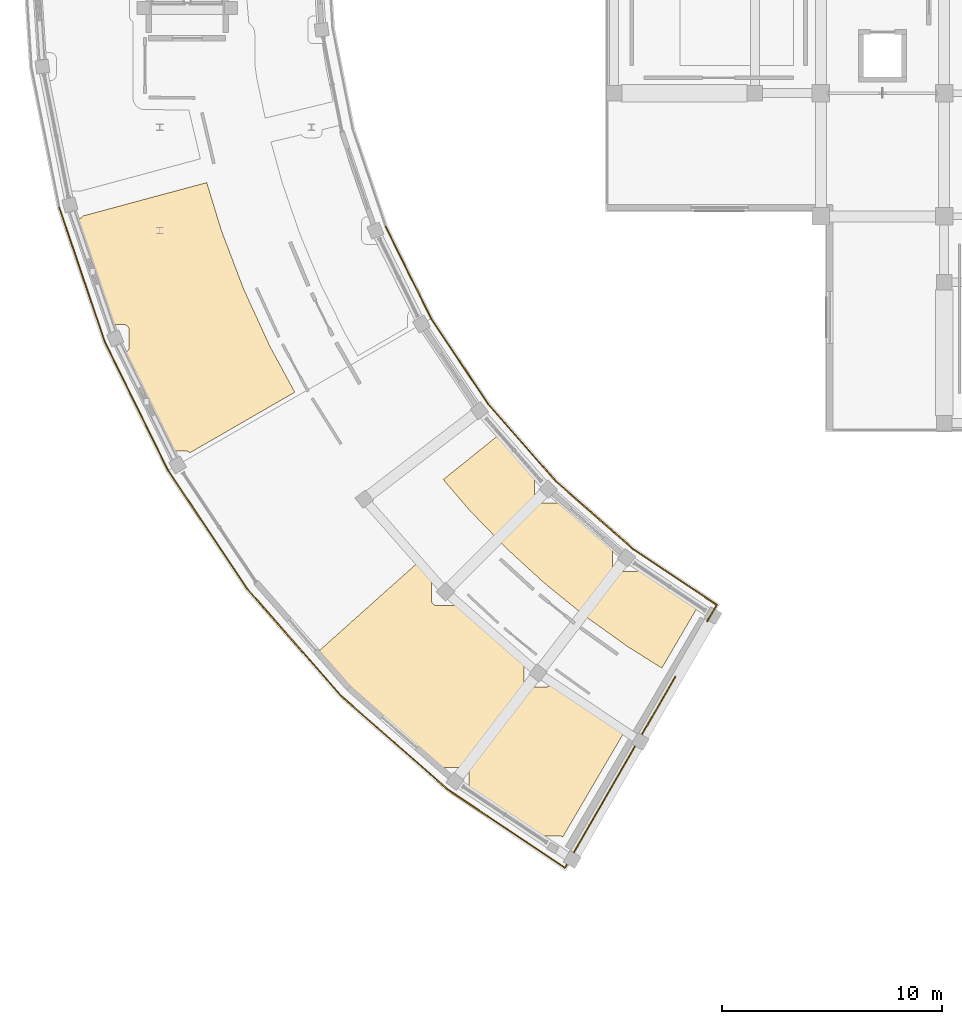
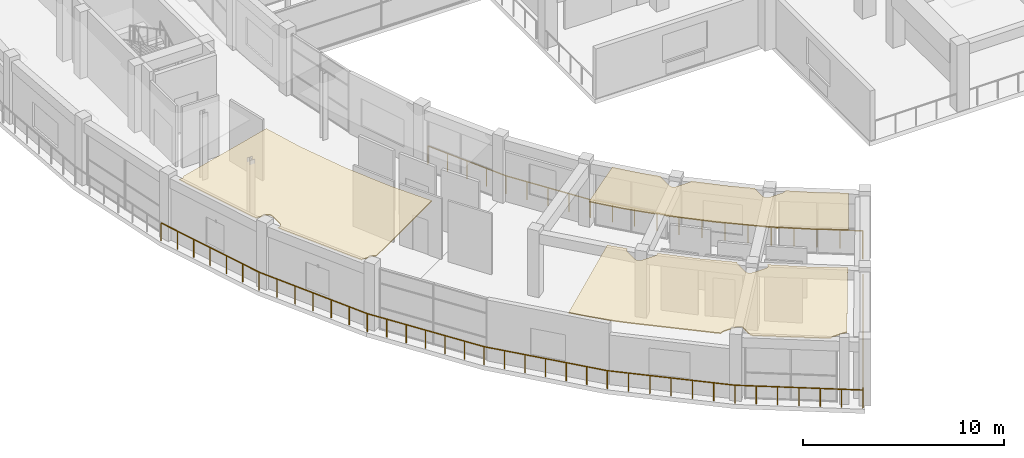
# One storey, part 57 of 70: 13 railings, 3 coverings.
"""IFC4 building model written with IfcOpenShell, lengths in metres."""

import ifcopenshell
import ifcopenshell.guid

model = None  # the IFC model being written
_history = None  # IfcOwnerHistory: only IFC2X3 demands one
_inside = {}  # id of a spatial element -> (the spatial element, [elements in it])
_under = {}  # id of a project, library or spatial element -> (it, [spatial elements below it])
_declared = {}  # id of a project -> (the project, [libraries it declares])
_typed = {}  # id of a type object -> (the type object, [elements of that type])
_made_of = {}  # id of a material, layer set ... -> (it, [elements and type objects made of it])


def new_model(schema):
    """Start an empty IFC model of exactly this schema.

    Asked for "IFC4X3", IfcOpenShell would pick the latest addendum, in which some entities
    have other attributes; the version numbers below select the first issue.
    IFC2X3 requires an IfcOwnerHistory on every rooted entity: one is made here for all.
    """
    global model, _history
    if schema == "IFC4X3":
        model = ifcopenshell.file(schema_version=(4, 3, 0, 0))
    else:
        model = ifcopenshell.file(schema=schema)
    _inside.clear()
    _under.clear()
    _declared.clear()
    _typed.clear()
    _made_of.clear()
    _history = None
    if model.schema == "IFC2X3":
        org = make("IfcOrganization", Name="unknown")
        user = make(
            "IfcPersonAndOrganization",
            ThePerson=make("IfcPerson", FamilyName="unknown"),
            TheOrganization=org,
        )
        app = make(
            "IfcApplication",
            ApplicationDeveloper=org,
            Version="unknown",
            ApplicationFullName="unknown",
            ApplicationIdentifier="unknown",
        )
        _history = make(
            "IfcOwnerHistory",
            OwningUser=user,
            OwningApplication=app,
            ChangeAction="ADDED",
            CreationDate=0,
        )
    return model


def make(cls, **values):
    """One entity of the class cls with the attributes given. An attribute that is None is left unset."""
    return model.create_entity(
        cls, **{name: value for name, value in values.items() if value is not None}
    )


def rooted(cls, **values):
    """An entity with a GlobalId (a new one), such as an element, a storey or a relation."""
    return make(cls, GlobalId=ifcopenshell.guid.new(), OwnerHistory=_history, **values)


def si_unit(unit_type, name, prefix=None):
    """IfcSIUnit, for example si_unit("LENGTHUNIT", "METRE", prefix="MILLI")."""
    return make("IfcSIUnit", UnitType=unit_type, Prefix=prefix, Name=name)


def assignment(units):
    """IfcUnitAssignment: the units of a project."""
    return None if units is None else make("IfcUnitAssignment", Units=units)


def point(xyz):
    """IfcCartesianPoint."""
    return None if xyz is None else make("IfcCartesianPoint", Coordinates=xyz)


def direction(xyz):
    """IfcDirection."""
    return None if xyz is None else make("IfcDirection", DirectionRatios=xyz)


def frame(location, z_axis=None, x_axis=None):
    """IfcAxis2Placement3D, a coordinate frame: its origin and axes. An axis left out is left unset."""
    return make(
        "IfcAxis2Placement3D",
        Location=point(location),
        Axis=direction(z_axis),
        RefDirection=direction(x_axis),
    )


def frame_2d(location, x_axis=None):
    """IfcAxis2Placement2D, a coordinate frame in the plane: its origin and x axis."""
    return make(
        "IfcAxis2Placement2D", Location=point(location), RefDirection=direction(x_axis)
    )


def origin():
    """The frame at (0, 0, 0) with its axes left unset."""
    return frame((0.0, 0.0, 0.0))


def origin_2d():
    """The frame at (0, 0) in the plane with its x axis left unset."""
    return frame_2d((0.0, 0.0))


def place(relative_to, where):
    """IfcLocalPlacement: puts the frame where relative to a parent placement (None: the world)."""
    return make(
        "IfcLocalPlacement", PlacementRelTo=relative_to, RelativePlacement=where
    )


def context(
    kind, dimensions, precision=None, world=None, true_north=None, identifier=None
):
    """IfcGeometricRepresentationContext, for example the 3D "Model" context."""
    return make(
        "IfcGeometricRepresentationContext",
        ContextIdentifier=identifier,
        ContextType=kind,
        CoordinateSpaceDimension=dimensions,
        Precision=precision,
        WorldCoordinateSystem=world,
        TrueNorth=true_north,
    )


def subcontext(parent, identifier, kind, view, scale=None):
    """IfcGeometricRepresentationSubContext, for example "Body" below "Model"."""
    return make(
        "IfcGeometricRepresentationSubContext",
        ContextIdentifier=identifier,
        ContextType=kind,
        ParentContext=parent,
        TargetScale=scale,
        TargetView=view,
    )


def project(units=None, contexts=None):
    """IfcProject with its units and contexts."""
    return rooted(
        "IfcProject",
        Name="project",
        RepresentationContexts=contexts,
        UnitsInContext=assignment(units),
    )


def spatial(cls, under=None, at=None, **own):
    """A site, building, storey or space (cls), placed at a placement, below another one or the project."""
    s = rooted(cls, ObjectPlacement=at, **own)
    if under is not None:
        _under.setdefault(under.id(), (under, []))[1].append(s)
    return s


def polyline(points):
    """IfcPolyline through the points."""
    return make("IfcPolyline", Points=[point(p) for p in points])


def profile(cls, at=None, kind="AREA", **sizes):
    """A parametric profile (cls). Its sizes go by their IFC names, for example OverallWidth=200.0."""
    return make(cls, ProfileType=kind, Position=at, **sizes)


def rectangle(**sizes):
    """IfcRectangleProfileDef."""
    return profile("IfcRectangleProfileDef", **sizes)


def outline(outer, holes=None, kind="AREA"):
    """IfcArbitraryClosedProfileDef: a profile drawn as a closed curve; with holes, ...WithVoids."""
    if holes is None:
        return make("IfcArbitraryClosedProfileDef", ProfileType=kind, OuterCurve=outer)
    return make(
        "IfcArbitraryProfileDefWithVoids",
        ProfileType=kind,
        OuterCurve=outer,
        InnerCurves=holes,
    )


def extrude(swept, where, along, depth):
    """IfcExtrudedAreaSolid: the profile swept, set in the frame where, extruded along a direction by depth."""
    return make(
        "IfcExtrudedAreaSolid",
        SweptArea=swept,
        Position=where,
        ExtrudedDirection=direction(along),
        Depth=depth,
    )


def shape(context_of_items, identifier, shape_type, items):
    """IfcShapeRepresentation: the items that make up one representation, for example the "Body"."""
    return make(
        "IfcShapeRepresentation",
        ContextOfItems=context_of_items,
        RepresentationIdentifier=identifier,
        RepresentationType=shape_type,
        Items=items,
    )


def material(Name=None, Category=None):
    """IfcMaterial."""
    return make("IfcMaterial", Name=Name, Category=Category)


def layer(
    of_material, thickness, ventilated=None, Name=None, Category=None, Priority=None
):
    """IfcMaterialLayer: one layer of a wall or slab, of a material (None: an air gap)."""
    return make(
        "IfcMaterialLayer",
        Material=of_material,
        LayerThickness=thickness,
        IsVentilated=ventilated,
        Name=Name,
        Category=Category,
        Priority=Priority,
    )


def layer_set(layers, Name=None):
    """IfcMaterialLayerSet."""
    return make("IfcMaterialLayerSet", MaterialLayers=layers, LayerSetName=Name)


def made_of(thing, what):
    """Note that an element or type object is made of a material, layer set ...; save() writes the relation."""
    if what is not None:
        _made_of.setdefault(what.id(), (what, []))[1].append(thing)
    return thing


def type_object(cls, material=None, **own):
    """A type object (cls), such as IfcWallType, which elements share."""
    return made_of(rooted(cls, **own), material)


def element(
    cls,
    number,
    at=None,
    inside=None,
    cuts=None,
    type_object=None,
    material=None,
    context=None,
    identifier="Body",
    shape_type=None,
    held_by="IfcProductDefinitionShape",
    body=None,
    shapes=None,
    **own,
):
    """One element of the class cls, such as IfcWall. Its Tag is "e" and its number.

    at: its placement. inside: the storey or other place that contains it. cuts: it is an
    opening in that element (IfcRelVoidsElement). A single representation is given by context,
    identifier, shape_type and body (its items); several are given by shapes. held_by: the class
    of the entity that holds the representations. save() writes the other relations.
    """
    e = rooted(cls, Tag="e%d" % number, ObjectPlacement=at, **own)
    if body is not None:
        shapes = [shape(context, identifier, shape_type, body)]
    if shapes is not None:
        e.Representation = make(held_by, Representations=shapes)
    if inside is not None:
        _inside.setdefault(inside.id(), (inside, []))[1].append(e)
    if cuts is not None:
        rooted(
            "IfcRelVoidsElement", RelatingBuildingElement=cuts, RelatedOpeningElement=e
        )
    if type_object is not None:
        _typed.setdefault(type_object.id(), (type_object, []))[1].append(e)
    return made_of(e, material)


def aggregate(whole, parts):
    """IfcRelAggregates: a whole, such as a stair, and the parts it consists of."""
    return rooted("IfcRelAggregates", RelatingObject=whole, RelatedObjects=parts)


def save(model, path):
    """Write the relations noted so far, then the file.

    IfcRelAggregates (storeys below a building ...), IfcRelContainedInSpatialStructure (elements
    in a storey), IfcRelDefinesByType, IfcRelAssociatesMaterial and IfcRelDeclares: one each for
    every whole, place, type object, material and project.
    """
    for whole, parts in _under.values():
        aggregate(whole, parts)
    for where, things in _inside.values():
        rooted(
            "IfcRelContainedInSpatialStructure",
            RelatedElements=things,
            RelatingStructure=where,
        )
    for kind, things in _typed.values():
        rooted("IfcRelDefinesByType", RelatedObjects=things, RelatingType=kind)
    for what, things in _made_of.values():
        rooted("IfcRelAssociatesMaterial", RelatedObjects=things, RelatingMaterial=what)
    for by, libraries in _declared.values():
        rooted("IfcRelDeclares", RelatingContext=by, RelatedDefinitions=libraries)
    model.write(path)


model = new_model("IFC4")

# Units and contexts
model_context = context("Model", 3, precision=1e-05, world=origin(), true_north=direction((0.0, 1.0)))
body_context = subcontext(model_context, "Body", "Model", "MODEL_VIEW")
ifc_project = project(units=[si_unit("LENGTHUNIT", "METRE"), si_unit("AREAUNIT", "SQUARE_METRE"), si_unit("VOLUMEUNIT", "CUBIC_METRE"), si_unit("PLANEANGLEUNIT", "RADIAN"), si_unit("MASSUNIT", "GRAM", prefix="KILO")], contexts=[model_context])

# Site, building, storey
site_placement = place(None, origin())
site = spatial("IfcSite", under=ifc_project, at=site_placement, CompositionType="ELEMENT")
building_placement = place(site_placement, origin())
building = spatial("IfcBuilding", under=site, at=building_placement, Name="Saryqyr Civic Hall", CompositionType="ELEMENT")
storey_placement = place(building_placement, frame((0.0, 0.0, 13.199951171875)))
storey = spatial("IfcBuildingStorey", under=building, at=storey_placement, Name="L03", CompositionType="ELEMENT", Elevation=13.199951171875)

# Coverings
ifc_material_1 = material(Name="Mineral-fibre acoustic ceiling tile", Category="acoustic_tile")
ifc_layer_1 = layer(ifc_material_1, 0.06005859375, Name="Mineral-fibre acoustic ceiling tile")
ifc_layer_set_1 = layer_set([ifc_layer_1], Name="Mineral-fibre acoustic ceiling tile")
covering_type = type_object("IfcCoveringType", Name="INT-COV-CEIL-60", PredefinedType="CEILING", material=ifc_layer_set_1)
covering_1_placement = place(storey_placement, frame((0.0, 0.0, 3.72998046875)))
element("IfcCovering", 1, at=covering_1_placement, inside=storey, type_object=covering_type, Name="Acoustic ceiling Environmental Air-Quality Directorate", PredefinedType="CEILING", context=body_context, shape_type="SweptSolid", body=[
    extrude(outline(polyline([(17.572265625, 67.4775390625), (18.742919921875, 64.9228515625), (18.759521484375, 64.89013671875), (19.888671875, 62.8046875), (15.124267578125, 60.053955078125), (15.12158203125, 60.056884765625), (15.103515625, 60.0732421875), (15.083740234375, 60.087890625), (15.0625, 60.1005859375), (15.04052734375, 60.111083984375), (15.017333984375, 60.119140625), (14.99365234375, 60.125244140625), (14.96923828125, 60.12890625), (14.94482421875, 60.1298828125), (14.313720703125, 60.1298828125), (14.036865234375, 60.64111328125), (12.2646484375, 64.23486328125), (12.0888671875, 64.618408203125), (12.10986328125, 64.618408203125), (12.134521484375, 64.61962890625), (12.15869140625, 64.623291015625), (12.1826171875, 64.62939453125), (12.20556640625, 64.637451171875), (12.227783203125, 64.64794921875), (12.248779296875, 64.66064453125), (12.2685546875, 64.67529296875), (12.28662109375, 64.691650390625), (12.30322265625, 64.7099609375), (12.31787109375, 64.7294921875), (12.330322265625, 64.750732421875), (12.3408203125, 64.772705078125), (12.34912109375, 64.7958984375), (12.35498046875, 64.819580078125), (12.358642578125, 64.843994140625), (12.35986328125, 64.868408203125), (12.35986328125, 65.62841796875), (12.358642578125, 65.653076171875), (12.35498046875, 65.67724609375), (12.34912109375, 65.701171875), (12.3408203125, 65.72412109375), (12.330322265625, 65.746337890625), (12.31787109375, 65.767333984375), (12.30322265625, 65.787109375), (12.28662109375, 65.805419921875), (12.2685546875, 65.82177734375), (12.248779296875, 65.83642578125), (12.227783203125, 65.84912109375), (12.20556640625, 65.859619140625), (12.1826171875, 65.86767578125), (12.15869140625, 65.873779296875), (12.134521484375, 65.877197265625), (12.10986328125, 65.87841796875), (11.57177734375, 65.87841796875), (11.35888671875, 66.438720703125), (10.082275390625, 70.19970703125), (9.93310546875, 70.68798828125), (10.049560546875, 70.68798828125), (10.07421875, 70.689208984375), (10.098388671875, 70.692626953125), (10.122314453125, 70.69873046875), (10.145263671875, 70.706787109375), (10.16748046875, 70.71728515625), (10.1884765625, 70.72998046875), (10.208251953125, 70.74462890625), (10.226318359375, 70.760986328125), (10.242919921875, 70.779296875), (10.257568359375, 70.799072265625), (10.268798828125, 70.818115234375), (15.888427734375, 72.332275390625), (16.548095703125, 70.1728515625), (16.56005859375, 70.13818359375), (17.55810546875, 67.51123046875), (17.572265625, 67.4775390625)])), origin(), (0.0, 0.0, 1.0), 0.06005859375),
])
covering_2_placement = place(storey_placement, frame((0.0, 0.0, 3.72998046875)))
element("IfcCovering", 2, at=covering_2_placement, inside=storey, type_object=covering_type, Name="Acoustic ceiling Staff Welfare Tea Point & Accessible MGN WC L03-W", PredefinedType="CEILING", context=body_context, shape_type="SweptSolid", body=[
    extrude(outline(polyline([(26.24169921875, 54.337890625), (26.238037109375, 54.336181640625), (26.216796875, 54.32373046875), (26.197265625, 54.30908203125), (26.178955078125, 54.29248046875), (26.16259765625, 54.2744140625), (26.14794921875, 54.254638671875), (26.13525390625, 54.233642578125), (26.124755859375, 54.21142578125), (26.11669921875, 54.1884765625), (26.110595703125, 54.16455078125), (26.10693359375, 54.140380859375), (26.105712890625, 54.11572265625), (26.105712890625, 53.355712890625), (26.10693359375, 53.331298828125), (26.110595703125, 53.306884765625), (26.11669921875, 53.283203125), (26.124755859375, 53.260009765625), (26.13525390625, 53.238037109375), (26.14794921875, 53.216796875), (26.16259765625, 53.197265625), (26.178955078125, 53.178955078125), (26.197265625, 53.16259765625), (26.216796875, 53.14794921875), (26.238037109375, 53.13525390625), (26.260009765625, 53.124755859375), (26.283203125, 53.11669921875), (26.306884765625, 53.110595703125), (26.331298828125, 53.10693359375), (26.355712890625, 53.105712890625), (27.11572265625, 53.105712890625), (27.140380859375, 53.10693359375), (27.16455078125, 53.110595703125), (27.1884765625, 53.11669921875), (27.21142578125, 53.124755859375), (27.233642578125, 53.13525390625), (27.254638671875, 53.14794921875), (27.2744140625, 53.16259765625), (27.29248046875, 53.178955078125), (27.30908203125, 53.197265625), (27.32373046875, 53.216796875), (27.334716796875, 53.2353515625), (28.89306640625, 51.789306640625), (28.918701171875, 51.7666015625), (30.369140625, 50.57958984375), (30.357177734375, 50.5634765625), (30.344482421875, 50.542236328125), (30.333984375, 50.520263671875), (30.32568359375, 50.4970703125), (30.31982421875, 50.473388671875), (30.316162109375, 50.448974609375), (30.31494140625, 50.424560546875), (30.31494140625, 49.66455078125), (30.316162109375, 49.639892578125), (30.31982421875, 49.61572265625), (30.32568359375, 49.591796875), (30.333984375, 49.56884765625), (30.344482421875, 49.546630859375), (30.357177734375, 49.525634765625), (30.37158203125, 49.505859375), (30.38818359375, 49.48779296875), (30.406494140625, 49.47119140625), (30.426025390625, 49.45654296875), (30.447265625, 49.444091796875), (30.46923828125, 49.43359375), (30.492431640625, 49.42529296875), (30.51611328125, 49.419189453125), (30.54052734375, 49.415771484375), (30.56494140625, 49.41455078125), (31.324951171875, 49.41455078125), (31.349609375, 49.415771484375), (31.373779296875, 49.419189453125), (31.397705078125, 49.42529296875), (31.420654296875, 49.43359375), (31.44287109375, 49.444091796875), (31.4638671875, 49.45654296875), (31.483642578125, 49.47119140625), (31.501708984375, 49.48779296875), (31.518310546875, 49.505859375), (31.532958984375, 49.525634765625), (31.54541015625, 49.546630859375), (31.555908203125, 49.56884765625), (31.564208984375, 49.591796875), (31.5703125, 49.61572265625), (31.57373046875, 49.639892578125), (31.574462890625, 49.6533203125), (33.104248046875, 48.552490234375), (33.132568359375, 48.533203125), (34.901123046875, 47.42041015625), (32.0693359375, 42.593505859375), (32.060546875, 42.60009765625), (32.03955078125, 42.61279296875), (32.017333984375, 42.623291015625), (31.994384765625, 42.63134765625), (31.970458984375, 42.637451171875), (31.9462890625, 42.64111328125), (31.921630859375, 42.64208984375), (31.311767578125, 42.64208984375), (31.287109375, 42.64111328125), (31.262939453125, 42.637451171875), (31.239013671875, 42.63134765625), (31.216064453125, 42.623291015625), (31.19384765625, 42.61279296875), (31.1728515625, 42.60009765625), (31.153076171875, 42.58544921875), (31.135009765625, 42.569091796875), (31.118408203125, 42.55078125), (31.11376953125, 42.54443359375), (28.134033203125, 44.51953125), (27.80078125, 44.759521484375), (27.80078125, 45.505615234375), (27.799560546875, 45.5302734375), (27.7958984375, 45.554443359375), (27.789794921875, 45.578369140625), (27.78173828125, 45.601318359375), (27.771240234375, 45.62353515625), (27.758544921875, 45.64453125), (27.743896484375, 45.664306640625), (27.7275390625, 45.6826171875), (27.709228515625, 45.698974609375), (27.689697265625, 45.713623046875), (27.66845703125, 45.726318359375), (27.646484375, 45.73681640625), (27.623291015625, 45.744873046875), (27.599609375, 45.7509765625), (27.5751953125, 45.75439453125), (27.55078125, 45.755615234375), (26.790771484375, 45.755615234375), (26.76611328125, 45.75439453125), (26.741943359375, 45.7509765625), (26.718017578125, 45.744873046875), (26.695068359375, 45.73681640625), (26.6728515625, 45.726318359375), (26.65185546875, 45.713623046875), (26.632080078125, 45.698974609375), (26.614013671875, 45.6826171875), (26.608154296875, 45.67626953125), (26.341552734375, 45.89453125), (23.1357421875, 48.705810546875), (22.615478515625, 49.188720703125), (21.60400390625, 50.251708984375), (20.94287109375, 51.005859375), (25.519775390625, 55.0966796875), (26.24169921875, 54.337890625)])), origin(), (0.0, 0.0, 1.0), 0.06005859375),
])
covering_3_placement = place(storey_placement, frame((0.0, 0.0, 3.72998046875)))
element("IfcCovering", 3, at=covering_3_placement, inside=storey, type_object=covering_type, Name="Acoustic ceiling Digital Archive Scan Room", PredefinedType="CEILING", context=body_context, shape_type="SweptSolid", body=[
    extrude(outline(polyline([(30.814697265625, 58.921630859375), (30.80224609375, 58.900390625), (30.791748046875, 58.87841796875), (30.783447265625, 58.855224609375), (30.777587890625, 58.83154296875), (30.77392578125, 58.80712890625), (30.772705078125, 58.78271484375), (30.772705078125, 58.022705078125), (30.77392578125, 57.998291015625), (30.777587890625, 57.973876953125), (30.783447265625, 57.9501953125), (30.791748046875, 57.927001953125), (30.80224609375, 57.90478515625), (30.814697265625, 57.8837890625), (30.829345703125, 57.864013671875), (30.845947265625, 57.845947265625), (30.864013671875, 57.829345703125), (30.8837890625, 57.814697265625), (30.90478515625, 57.80224609375), (30.927001953125, 57.791748046875), (30.9501953125, 57.783447265625), (30.973876953125, 57.777587890625), (30.998291015625, 57.77392578125), (31.022705078125, 57.772705078125), (31.78271484375, 57.772705078125), (31.80712890625, 57.77392578125), (31.83154296875, 57.777587890625), (31.855224609375, 57.783447265625), (31.87841796875, 57.791748046875), (31.900390625, 57.80224609375), (31.9169921875, 57.812255859375), (33.293701171875, 56.5498046875), (33.319091796875, 56.528076171875), (34.336669921875, 55.702392578125), (34.333984375, 55.68505859375), (34.332763671875, 55.66064453125), (34.332763671875, 54.900634765625), (34.333984375, 54.876220703125), (34.337646484375, 54.851806640625), (34.343505859375, 54.827880859375), (34.351806640625, 54.804931640625), (34.3623046875, 54.78271484375), (34.375, 54.76171875), (34.389404296875, 54.741943359375), (34.406005859375, 54.723876953125), (34.42431640625, 54.707275390625), (34.44384765625, 54.692626953125), (34.465087890625, 54.68017578125), (34.487060546875, 54.669677734375), (34.51025390625, 54.661376953125), (34.533935546875, 54.655517578125), (34.558349609375, 54.65185546875), (34.582763671875, 54.650634765625), (35.3427734375, 54.650634765625), (35.3671875, 54.65185546875), (35.3916015625, 54.655517578125), (35.415283203125, 54.661376953125), (35.4384765625, 54.669677734375), (35.460693359375, 54.68017578125), (35.481689453125, 54.692626953125), (35.50146484375, 54.707275390625), (35.51953125, 54.723876953125), (35.5361328125, 54.741943359375), (35.55078125, 54.76171875), (35.5537109375, 54.76708984375), (36.776611328125, 53.891845703125), (36.80419921875, 53.873291015625), (38.18017578125, 53.009033203125), (36.571044921875, 50.2666015625), (35.018310546875, 51.241943359375), (33.080078125, 52.62939453125), (31.22900390625, 54.13134765625), (29.471923828125, 55.7421875), (27.815673828125, 57.45654296875), (26.636474609375, 58.83447265625), (29.113525390625, 60.827880859375), (30.156982421875, 59.6083984375), (30.17919921875, 59.583984375), (30.81689453125, 58.92431640625), (30.814697265625, 58.921630859375)])), origin(), (0.0, 0.0, 1.0), 0.06005859375),
])

# Railings
ifc_material_2 = material(Name="Warm brushed brass and laminated glass", Category="glass")
ifc_layer_2 = layer(ifc_material_2, 0.06005859375, Name="Warm brushed brass and laminated glass")
ifc_layer_set_2 = layer_set([ifc_layer_2], Name="Warm brushed brass and laminated glass")
railing_type = type_object("IfcRailingType", Name="INT-RLG-BAL-1100", PredefinedType="BALUSTRADE", material=ifc_layer_set_2)
railing_1_placement = place(storey_placement, frame((39.066650390625, 53.138427734375, 0.0)))
element("IfcRailing", 4, at=railing_1_placement, inside=storey, type_object=railing_type, Name="Interior deck safety balustrade L03-001", PredefinedType="BALUSTRADE", context=body_context, shape_type="SweptSolid", body=[
    extrude(rectangle(XDim=0.048095703125, YDim=0.048095703125, at=origin_2d()), frame((0.0, 0.0, 1.09619140625), z_axis=(-0.500092435591, -0.865972029493, 0.0), x_axis=(0.865972029493, -0.500092435591, 0.0)), (0.0, 0.0, 1.0), 0.856689453125),
    extrude(rectangle(XDim=0.0419921875, YDim=0.0419921875, at=origin_2d()), origin(), (0.0, 0.0, 1.0), 1.072021484375),
    extrude(rectangle(XDim=0.0419921875, YDim=0.0419921875, at=origin_2d()), frame((-0.428466796875, -0.741943359375, 0.0)), (0.0, 0.0, 1.0), 1.072021484375),
])
railing_2_placement = place(storey_placement, frame((37.177978515625, 49.8671875, 0.0)))
element("IfcRailing", 5, at=railing_2_placement, inside=storey, type_object=railing_type, Name="Interior deck safety balustrade L03-002", PredefinedType="BALUSTRADE", context=body_context, shape_type="SweptSolid", body=[
    extrude(rectangle(XDim=0.048095703125, YDim=0.048095703125, at=origin_2d()), frame((0.0, 0.0, 1.09619140625), z_axis=(-0.500000789788, -0.8660249478, 0.0), x_axis=(0.8660249478, -0.500000789788, 0.0)), (0.0, 0.0, 1.0), 10.0224609375),
    extrude(rectangle(XDim=0.0419921875, YDim=0.0419921875, at=origin_2d()), origin(), (0.0, 0.0, 1.0), 1.072021484375),
    extrude(rectangle(XDim=0.0419921875, YDim=0.0419921875, at=origin_2d()), frame((-0.556884765625, -0.96435546875, 0.0)), (0.0, 0.0, 1.0), 1.072021484375),
    extrude(rectangle(XDim=0.0419921875, YDim=0.0419921875, at=origin_2d()), frame((-1.113525390625, -1.9287109375, 0.0)), (0.0, 0.0, 1.0), 1.072021484375),
    extrude(rectangle(XDim=0.0419921875, YDim=0.0419921875, at=origin_2d()), frame((-1.67041015625, -2.893310546875, 0.0)), (0.0, 0.0, 1.0), 1.072021484375),
    extrude(rectangle(XDim=0.0419921875, YDim=0.0419921875, at=origin_2d()), frame((-2.227294921875, -3.857666015625, 0.0)), (0.0, 0.0, 1.0), 1.072021484375),
    extrude(rectangle(XDim=0.0419921875, YDim=0.0419921875, at=origin_2d()), frame((-2.783935546875, -4.822021484375, 0.0)), (0.0, 0.0, 1.0), 1.072021484375),
    extrude(rectangle(XDim=0.0419921875, YDim=0.0419921875, at=origin_2d()), frame((-3.3408203125, -5.786376953125, 0.0)), (0.0, 0.0, 1.0), 1.072021484375),
    extrude(rectangle(XDim=0.0419921875, YDim=0.0419921875, at=origin_2d()), frame((-3.897705078125, -6.7509765625, 0.0)), (0.0, 0.0, 1.0), 1.072021484375),
    extrude(rectangle(XDim=0.0419921875, YDim=0.0419921875, at=origin_2d()), frame((-4.454345703125, -7.71533203125, 0.0)), (0.0, 0.0, 1.0), 1.072021484375),
    extrude(rectangle(XDim=0.0419921875, YDim=0.0419921875, at=origin_2d()), frame((-5.01123046875, -8.6796875, 0.0)), (0.0, 0.0, 1.0), 1.072021484375),
])
railing_3_placement = place(storey_placement, frame((32.166748046875, 41.1875, 0.0)))
element("IfcRailing", 6, at=railing_3_placement, inside=storey, type_object=railing_type, Name="Interior deck safety balustrade L03-003", PredefinedType="BALUSTRADE", context=body_context, shape_type="SweptSolid", body=[
    extrude(rectangle(XDim=0.048095703125, YDim=0.048095703125, at=origin_2d()), frame((0.0, 0.0, 1.09619140625), z_axis=(-0.831454719834, 0.555592520527, 0.0), x_axis=(-0.555592520527, -0.831454719834, 0.0)), (0.0, 0.0, 1.0), 6.374755859375),
    extrude(rectangle(XDim=0.0419921875, YDim=0.0419921875, at=origin_2d()), origin(), (0.0, 0.0, 1.0), 1.072021484375),
    extrude(rectangle(XDim=0.0419921875, YDim=0.0419921875, at=origin_2d()), frame((-0.88330078125, 0.59033203125, 0.0)), (0.0, 0.0, 1.0), 1.072021484375),
    extrude(rectangle(XDim=0.0419921875, YDim=0.0419921875, at=origin_2d()), frame((-1.766845703125, 1.1806640625, 0.0)), (0.0, 0.0, 1.0), 1.072021484375),
    extrude(rectangle(XDim=0.0419921875, YDim=0.0419921875, at=origin_2d()), frame((-2.650146484375, 1.77099609375, 0.0)), (0.0, 0.0, 1.0), 1.072021484375),
    extrude(rectangle(XDim=0.0419921875, YDim=0.0419921875, at=origin_2d()), frame((-3.533447265625, 2.361083984375, 0.0)), (0.0, 0.0, 1.0), 1.072021484375),
    extrude(rectangle(XDim=0.0419921875, YDim=0.0419921875, at=origin_2d()), frame((-4.4169921875, 2.951416015625, 0.0)), (0.0, 0.0, 1.0), 1.072021484375),
    extrude(rectangle(XDim=0.0419921875, YDim=0.0419921875, at=origin_2d()), frame((-5.30029296875, 3.541748046875, 0.0)), (0.0, 0.0, 1.0), 1.072021484375),
])
railing_4_placement = place(storey_placement, frame((26.866455078125, 44.729248046875, 0.0)))
element("IfcRailing", 7, at=railing_4_placement, inside=storey, type_object=railing_type, Name="Interior deck safety balustrade L03-004", PredefinedType="BALUSTRADE", context=body_context, shape_type="SweptSolid", body=[
    extrude(rectangle(XDim=0.048095703125, YDim=0.048095703125, at=origin_2d()), frame((0.0, 0.0, 1.09619140625), z_axis=(-0.751856829228, 0.659326405009, 0.0), x_axis=(-0.659326405009, -0.751856829228, 0.0)), (0.0, 0.0, 1.0), 6.474853515625),
    extrude(rectangle(XDim=0.0419921875, YDim=0.0419921875, at=origin_2d()), origin(), (0.0, 0.0, 1.0), 1.072021484375),
    extrude(rectangle(XDim=0.0419921875, YDim=0.0419921875, at=origin_2d()), frame((-0.811279296875, 0.71142578125, 0.0)), (0.0, 0.0, 1.0), 1.072021484375),
    extrude(rectangle(XDim=0.0419921875, YDim=0.0419921875, at=origin_2d()), frame((-1.622802734375, 1.423095703125, 0.0)), (0.0, 0.0, 1.0), 1.072021484375),
    extrude(rectangle(XDim=0.0419921875, YDim=0.0419921875, at=origin_2d()), frame((-2.43408203125, 2.134521484375, 0.0)), (0.0, 0.0, 1.0), 1.072021484375),
    extrude(rectangle(XDim=0.0419921875, YDim=0.0419921875, at=origin_2d()), frame((-3.245361328125, 2.845947265625, 0.0)), (0.0, 0.0, 1.0), 1.072021484375),
    extrude(rectangle(XDim=0.0419921875, YDim=0.0419921875, at=origin_2d()), frame((-4.056884765625, 3.5576171875, 0.0)), (0.0, 0.0, 1.0), 1.072021484375),
    extrude(rectangle(XDim=0.0419921875, YDim=0.0419921875, at=origin_2d()), frame((-4.8681640625, 4.26904296875, 0.0)), (0.0, 0.0, 1.0), 1.072021484375),
])
railing_5_placement = place(storey_placement, frame((21.998291015625, 48.998291015625, 0.0)))
element("IfcRailing", 8, at=railing_5_placement, inside=storey, type_object=railing_type, Name="Interior deck safety balustrade L03-005", PredefinedType="BALUSTRADE", context=body_context, shape_type="SweptSolid", body=[
    extrude(rectangle(XDim=0.048095703125, YDim=0.048095703125, at=origin_2d()), frame((0.0, 0.0, 1.09619140625), z_axis=(-0.659326405009, 0.751856829228, 0.0), x_axis=(-0.751856829228, -0.659326405009, 0.0)), (0.0, 0.0, 1.0), 6.474853515625),
    extrude(rectangle(XDim=0.0419921875, YDim=0.0419921875, at=origin_2d()), origin(), (0.0, 0.0, 1.0), 1.072021484375),
    extrude(rectangle(XDim=0.0419921875, YDim=0.0419921875, at=origin_2d()), frame((-0.71142578125, 0.811279296875, 0.0)), (0.0, 0.0, 1.0), 1.072021484375),
    extrude(rectangle(XDim=0.0419921875, YDim=0.0419921875, at=origin_2d()), frame((-1.423095703125, 1.622802734375, 0.0)), (0.0, 0.0, 1.0), 1.072021484375),
    extrude(rectangle(XDim=0.0419921875, YDim=0.0419921875, at=origin_2d()), frame((-2.134521484375, 2.43408203125, 0.0)), (0.0, 0.0, 1.0), 1.072021484375),
    extrude(rectangle(XDim=0.0419921875, YDim=0.0419921875, at=origin_2d()), frame((-2.845947265625, 3.245361328125, 0.0)), (0.0, 0.0, 1.0), 1.072021484375),
    extrude(rectangle(XDim=0.0419921875, YDim=0.0419921875, at=origin_2d()), frame((-3.5576171875, 4.056884765625, 0.0)), (0.0, 0.0, 1.0), 1.072021484375),
    extrude(rectangle(XDim=0.0419921875, YDim=0.0419921875, at=origin_2d()), frame((-4.26904296875, 4.8681640625, 0.0)), (0.0, 0.0, 1.0), 1.072021484375),
])
railing_6_placement = place(storey_placement, frame((17.729248046875, 53.866455078125, 0.0)))
element("IfcRailing", 9, at=railing_6_placement, inside=storey, type_object=railing_type, Name="Interior deck safety balustrade L03-006", PredefinedType="BALUSTRADE", context=body_context, shape_type="SweptSolid", body=[
    extrude(rectangle(XDim=0.048095703125, YDim=0.048095703125, at=origin_2d()), frame((0.0, 0.0, 1.09619140625), z_axis=(-0.55559611415, 0.831452318502, 0.0), x_axis=(-0.831452318502, -0.55559611415, 0.0)), (0.0, 0.0, 1.0), 6.474853515625),
    extrude(rectangle(XDim=0.0419921875, YDim=0.0419921875, at=origin_2d()), origin(), (0.0, 0.0, 1.0), 1.072021484375),
    extrude(rectangle(XDim=0.0419921875, YDim=0.0419921875, at=origin_2d()), frame((-0.599609375, 0.897216796875, 0.0)), (0.0, 0.0, 1.0), 1.072021484375),
    extrude(rectangle(XDim=0.0419921875, YDim=0.0419921875, at=origin_2d()), frame((-1.19921875, 1.79443359375, 0.0)), (0.0, 0.0, 1.0), 1.072021484375),
    extrude(rectangle(XDim=0.0419921875, YDim=0.0419921875, at=origin_2d()), frame((-1.798828125, 2.69189453125, 0.0)), (0.0, 0.0, 1.0), 1.072021484375),
    extrude(rectangle(XDim=0.0419921875, YDim=0.0419921875, at=origin_2d()), frame((-2.398193359375, 3.589111328125, 0.0)), (0.0, 0.0, 1.0), 1.072021484375),
    extrude(rectangle(XDim=0.0419921875, YDim=0.0419921875, at=origin_2d()), frame((-2.997802734375, 4.486328125, 0.0)), (0.0, 0.0, 1.0), 1.072021484375),
    extrude(rectangle(XDim=0.0419921875, YDim=0.0419921875, at=origin_2d()), frame((-3.597412109375, 5.383544921875, 0.0)), (0.0, 0.0, 1.0), 1.072021484375),
])
railing_7_placement = place(storey_placement, frame((14.1318359375, 59.25, 0.0)))
element("IfcRailing", 10, at=railing_7_placement, inside=storey, type_object=railing_type, Name="Interior deck safety balustrade L03-007", PredefinedType="BALUSTRADE", context=body_context, shape_type="SweptSolid", body=[
    extrude(rectangle(XDim=0.048095703125, YDim=0.048095703125, at=origin_2d()), frame((0.0, 0.0, 1.09619140625), z_axis=(-0.442244704557, 0.89689443152, 0.0), x_axis=(-0.89689443152, -0.442244704557, 0.0)), (0.0, 0.0, 1.0), 6.47509765625),
    extrude(rectangle(XDim=0.0419921875, YDim=0.0419921875, at=origin_2d()), origin(), (0.0, 0.0, 1.0), 1.072021484375),
    extrude(rectangle(XDim=0.0419921875, YDim=0.0419921875, at=origin_2d()), frame((-0.477294921875, 0.9677734375, 0.0)), (0.0, 0.0, 1.0), 1.072021484375),
    extrude(rectangle(XDim=0.0419921875, YDim=0.0419921875, at=origin_2d()), frame((-0.95458984375, 1.935791015625, 0.0)), (0.0, 0.0, 1.0), 1.072021484375),
    extrude(rectangle(XDim=0.0419921875, YDim=0.0419921875, at=origin_2d()), frame((-1.431640625, 2.90380859375, 0.0)), (0.0, 0.0, 1.0), 1.072021484375),
    extrude(rectangle(XDim=0.0419921875, YDim=0.0419921875, at=origin_2d()), frame((-1.908935546875, 3.87158203125, 0.0)), (0.0, 0.0, 1.0), 1.072021484375),
    extrude(rectangle(XDim=0.0419921875, YDim=0.0419921875, at=origin_2d()), frame((-2.38623046875, 4.83935546875, 0.0)), (0.0, 0.0, 1.0), 1.072021484375),
    extrude(rectangle(XDim=0.0419921875, YDim=0.0419921875, at=origin_2d()), frame((-2.863525390625, 5.807373046875, 0.0)), (0.0, 0.0, 1.0), 1.072021484375),
])
railing_8_placement = place(storey_placement, frame((11.268310546875, 65.057373046875, 0.0)))
element("IfcRailing", 11, at=railing_8_placement, inside=storey, type_object=railing_type, Name="Interior deck safety balustrade L03-008", PredefinedType="BALUSTRADE", context=body_context, shape_type="SweptSolid", body=[
    extrude(rectangle(XDim=0.048095703125, YDim=0.048095703125, at=origin_2d()), frame((0.0, 0.0, 1.09619140625), z_axis=(-0.321449107992, 0.946926856189, 0.0), x_axis=(-0.946926856189, -0.321449107992, 0.0)), (0.0, 0.0, 1.0), 6.474853515625),
    extrude(rectangle(XDim=0.0419921875, YDim=0.0419921875, at=origin_2d()), origin(), (0.0, 0.0, 1.0), 1.072021484375),
    extrude(rectangle(XDim=0.0419921875, YDim=0.0419921875, at=origin_2d()), frame((-0.346923828125, 1.02197265625, 0.0)), (0.0, 0.0, 1.0), 1.072021484375),
    extrude(rectangle(XDim=0.0419921875, YDim=0.0419921875, at=origin_2d()), frame((-0.69384765625, 2.043701171875, 0.0)), (0.0, 0.0, 1.0), 1.072021484375),
    extrude(rectangle(XDim=0.0419921875, YDim=0.0419921875, at=origin_2d()), frame((-1.04052734375, 3.0654296875, 0.0)), (0.0, 0.0, 1.0), 1.072021484375),
    extrude(rectangle(XDim=0.0419921875, YDim=0.0419921875, at=origin_2d()), frame((-1.387451171875, 4.08740234375, 0.0)), (0.0, 0.0, 1.0), 1.072021484375),
    extrude(rectangle(XDim=0.0419921875, YDim=0.0419921875, at=origin_2d()), frame((-1.734375, 5.109375, 0.0)), (0.0, 0.0, 1.0), 1.072021484375),
    extrude(rectangle(XDim=0.0419921875, YDim=0.0419921875, at=origin_2d()), frame((-2.081298828125, 6.131103515625, 0.0)), (0.0, 0.0, 1.0), 1.072021484375),
])
railing_9_placement = place(storey_placement, frame((24.017333984375, 70.338134765625, 0.0)))
element("IfcRailing", 12, at=railing_9_placement, inside=storey, type_object=railing_type, Name="Interior deck safety balustrade L03-089", PredefinedType="BALUSTRADE", context=body_context, shape_type="SweptSolid", body=[
    extrude(rectangle(XDim=0.048095703125, YDim=0.048095703125, at=origin_2d()), frame((0.0, 0.0, 1.09619140625), z_axis=(0.44229248412, -0.896870870578, 0.0), x_axis=(0.896870870578, 0.44229248412, 0.0)), (0.0, 0.0, 1.0), 4.669921875),
    extrude(rectangle(XDim=0.0419921875, YDim=0.0419921875, at=origin_2d()), origin(), (0.0, 0.0, 1.0), 1.072021484375),
    extrude(rectangle(XDim=0.0419921875, YDim=0.0419921875, at=origin_2d()), frame((0.516357421875, -1.047119140625, 0.0)), (0.0, 0.0, 1.0), 1.072021484375),
    extrude(rectangle(XDim=0.0419921875, YDim=0.0419921875, at=origin_2d()), frame((1.03271484375, -2.09423828125, 0.0)), (0.0, 0.0, 1.0), 1.072021484375),
    extrude(rectangle(XDim=0.0419921875, YDim=0.0419921875, at=origin_2d()), frame((1.549072265625, -3.14111328125, 0.0)), (0.0, 0.0, 1.0), 1.072021484375),
    extrude(rectangle(XDim=0.0419921875, YDim=0.0419921875, at=origin_2d()), frame((2.0654296875, -4.188232421875, 0.0)), (0.0, 0.0, 1.0), 1.072021484375),
])
railing_10_placement = place(storey_placement, frame((26.082763671875, 66.14990234375, 0.0)))
element("IfcRailing", 13, at=railing_10_placement, inside=storey, type_object=railing_type, Name="Interior deck safety balustrade L03-090", PredefinedType="BALUSTRADE", context=body_context, shape_type="SweptSolid", body=[
    extrude(rectangle(XDim=0.048095703125, YDim=0.048095703125, at=origin_2d()), frame((0.0, 0.0, 1.09619140625), z_axis=(0.555544459674, -0.831486832924, 0.0), x_axis=(0.831486832924, 0.555544459674, 0.0)), (0.0, 0.0, 1.0), 4.669677734375),
    extrude(rectangle(XDim=0.0419921875, YDim=0.0419921875, at=origin_2d()), origin(), (0.0, 0.0, 1.0), 1.072021484375),
    extrude(rectangle(XDim=0.0419921875, YDim=0.0419921875, at=origin_2d()), frame((0.6484375, -0.970703125, 0.0)), (0.0, 0.0, 1.0), 1.072021484375),
    extrude(rectangle(XDim=0.0419921875, YDim=0.0419921875, at=origin_2d()), frame((1.297119140625, -1.94140625, 0.0)), (0.0, 0.0, 1.0), 1.072021484375),
    extrude(rectangle(XDim=0.0419921875, YDim=0.0419921875, at=origin_2d()), frame((1.94580078125, -2.912109375, 0.0)), (0.0, 0.0, 1.0), 1.072021484375),
    extrude(rectangle(XDim=0.0419921875, YDim=0.0419921875, at=origin_2d()), frame((2.59423828125, -3.8828125, 0.0)), (0.0, 0.0, 1.0), 1.072021484375),
])
railing_11_placement = place(storey_placement, frame((28.677001953125, 62.26708984375, 0.0)))
element("IfcRailing", 14, at=railing_11_placement, inside=storey, type_object=railing_type, Name="Interior deck safety balustrade L03-091", PredefinedType="BALUSTRADE", context=body_context, shape_type="SweptSolid", body=[
    extrude(rectangle(XDim=0.048095703125, YDim=0.048095703125, at=origin_2d()), frame((0.0, 0.0, 1.09619140625), z_axis=(0.659351769343, -0.751834585706, 0.0), x_axis=(0.751834585706, 0.659351769343, 0.0)), (0.0, 0.0, 1.0), 4.669921875),
    extrude(rectangle(XDim=0.0419921875, YDim=0.0419921875, at=origin_2d()), origin(), (0.0, 0.0, 1.0), 1.072021484375),
    extrude(rectangle(XDim=0.0419921875, YDim=0.0419921875, at=origin_2d()), frame((0.769775390625, -0.877685546875, 0.0)), (0.0, 0.0, 1.0), 1.072021484375),
    extrude(rectangle(XDim=0.0419921875, YDim=0.0419921875, at=origin_2d()), frame((1.53955078125, -1.75537109375, 0.0)), (0.0, 0.0, 1.0), 1.072021484375),
    extrude(rectangle(XDim=0.0419921875, YDim=0.0419921875, at=origin_2d()), frame((2.309326171875, -2.63330078125, 0.0)), (0.0, 0.0, 1.0), 1.072021484375),
    extrude(rectangle(XDim=0.0419921875, YDim=0.0419921875, at=origin_2d()), frame((3.0791015625, -3.510986328125, 0.0)), (0.0, 0.0, 1.0), 1.072021484375),
])
railing_12_placement = place(storey_placement, frame((31.756103515625, 58.756103515625, 0.0)))
element("IfcRailing", 15, at=railing_12_placement, inside=storey, type_object=railing_type, Name="Interior deck safety balustrade L03-092", PredefinedType="BALUSTRADE", context=body_context, shape_type="SweptSolid", body=[
    extrude(rectangle(XDim=0.048095703125, YDim=0.048095703125, at=origin_2d()), frame((0.0, 0.0, 1.09619140625), z_axis=(0.751834585706, -0.659351769343, 0.0), x_axis=(0.659351769343, 0.751834585706, 0.0)), (0.0, 0.0, 1.0), 4.669921875),
    extrude(rectangle(XDim=0.0419921875, YDim=0.0419921875, at=origin_2d()), origin(), (0.0, 0.0, 1.0), 1.072021484375),
    extrude(rectangle(XDim=0.0419921875, YDim=0.0419921875, at=origin_2d()), frame((0.877685546875, -0.769775390625, 0.0)), (0.0, 0.0, 1.0), 1.072021484375),
    extrude(rectangle(XDim=0.0419921875, YDim=0.0419921875, at=origin_2d()), frame((1.75537109375, -1.53955078125, 0.0)), (0.0, 0.0, 1.0), 1.072021484375),
    extrude(rectangle(XDim=0.0419921875, YDim=0.0419921875, at=origin_2d()), frame((2.63330078125, -2.309326171875, 0.0)), (0.0, 0.0, 1.0), 1.072021484375),
    extrude(rectangle(XDim=0.0419921875, YDim=0.0419921875, at=origin_2d()), frame((3.510986328125, -3.0791015625, 0.0)), (0.0, 0.0, 1.0), 1.072021484375),
])
railing_13_placement = place(storey_placement, frame((35.26708984375, 55.677001953125, 0.0)))
element("IfcRailing", 16, at=railing_13_placement, inside=storey, type_object=railing_type, Name="Interior deck safety balustrade L03-093", PredefinedType="BALUSTRADE", context=body_context, shape_type="SweptSolid", body=[
    extrude(rectangle(XDim=0.048095703125, YDim=0.048095703125, at=origin_2d()), frame((0.0, 0.0, 1.09619140625), z_axis=(0.831490938929, -0.555538314141, 0.0), x_axis=(0.555538314141, 0.831490938929, 0.0)), (0.0, 0.0, 1.0), 4.569580078125),
    extrude(rectangle(XDim=0.0419921875, YDim=0.0419921875, at=origin_2d()), origin(), (0.0, 0.0, 1.0), 1.072021484375),
    extrude(rectangle(XDim=0.0419921875, YDim=0.0419921875, at=origin_2d()), frame((0.949951171875, -0.634765625, 0.0)), (0.0, 0.0, 1.0), 1.072021484375),
    extrude(rectangle(XDim=0.0419921875, YDim=0.0419921875, at=origin_2d()), frame((1.89990234375, -1.269287109375, 0.0)), (0.0, 0.0, 1.0), 1.072021484375),
    extrude(rectangle(XDim=0.0419921875, YDim=0.0419921875, at=origin_2d()), frame((2.849609375, -1.90380859375, 0.0)), (0.0, 0.0, 1.0), 1.072021484375),
    extrude(rectangle(XDim=0.0419921875, YDim=0.0419921875, at=origin_2d()), frame((3.799560546875, -2.53857421875, 0.0)), (0.0, 0.0, 1.0), 1.072021484375),
])

save(model, "model.ifc")
